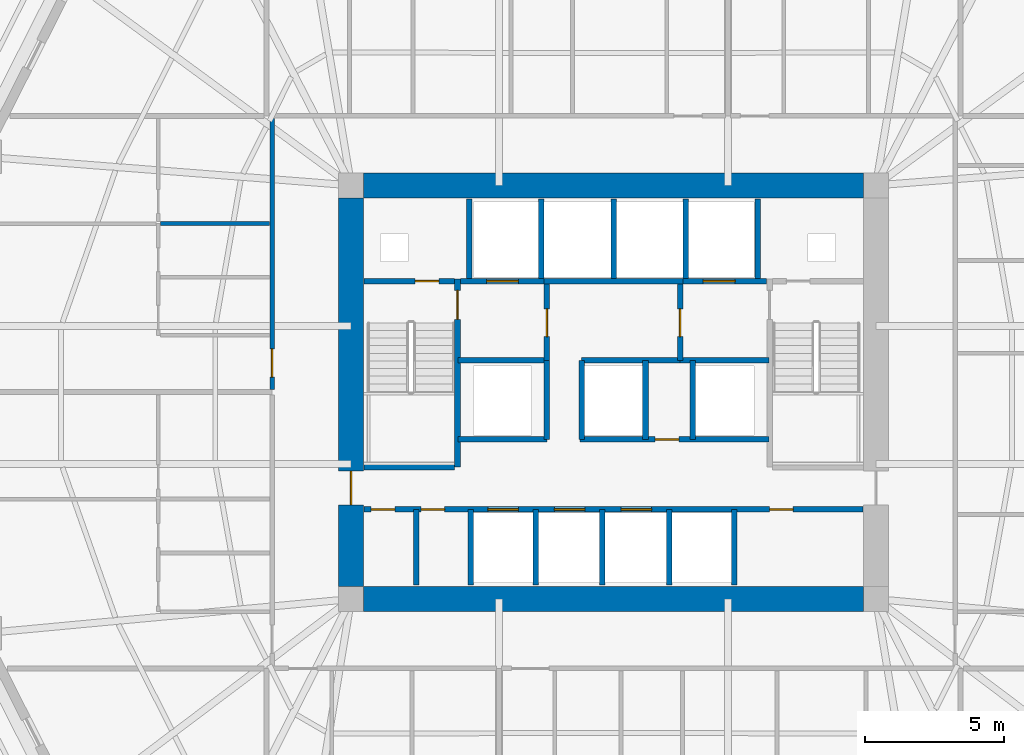
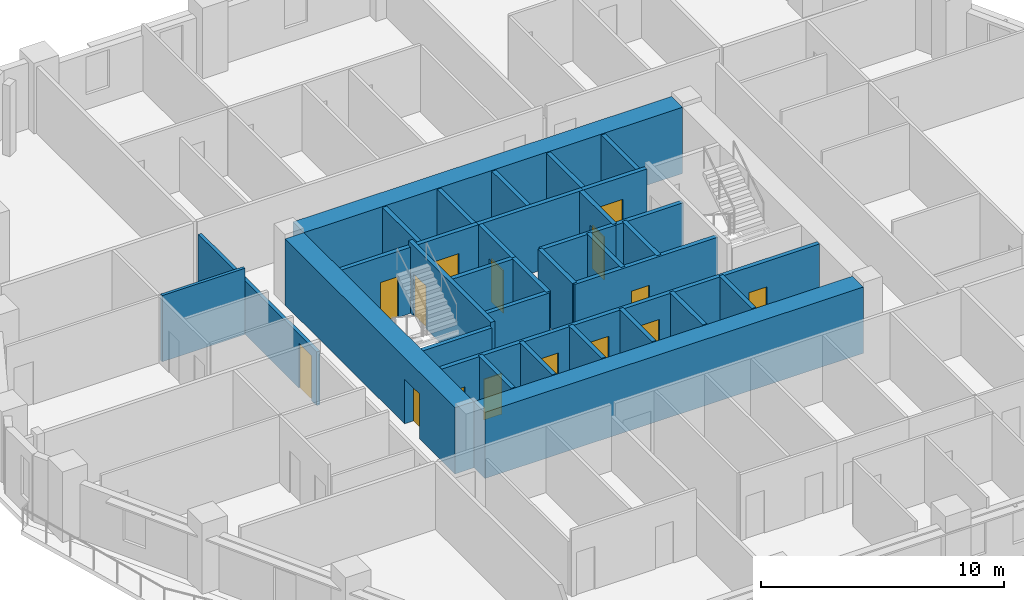
# One storey, part 5 of 14: 34 walls, 15 doors, 15 openings.
"""IFC4 building model written with IfcOpenShell, lengths in metres."""

import ifcopenshell
import ifcopenshell.guid

model = None  # the IFC model being written
_history = None  # IfcOwnerHistory: only IFC2X3 demands one
_inside = {}  # id of a spatial element -> (the spatial element, [elements in it])
_under = {}  # id of a project, library or spatial element -> (it, [spatial elements below it])
_declared = {}  # id of a project -> (the project, [libraries it declares])
_typed = {}  # id of a type object -> (the type object, [elements of that type])
_made_of = {}  # id of a material, layer set ... -> (it, [elements and type objects made of it])


def new_model(schema):
    """Start an empty IFC model of exactly this schema.

    Asked for "IFC4X3", IfcOpenShell would pick the latest addendum, in which some entities
    have other attributes; the version numbers below select the first issue.
    IFC2X3 requires an IfcOwnerHistory on every rooted entity: one is made here for all.
    """
    global model, _history
    if schema == "IFC4X3":
        model = ifcopenshell.file(schema_version=(4, 3, 0, 0))
    else:
        model = ifcopenshell.file(schema=schema)
    _inside.clear()
    _under.clear()
    _declared.clear()
    _typed.clear()
    _made_of.clear()
    _history = None
    if model.schema == "IFC2X3":
        org = make("IfcOrganization", Name="unknown")
        user = make(
            "IfcPersonAndOrganization",
            ThePerson=make("IfcPerson", FamilyName="unknown"),
            TheOrganization=org,
        )
        app = make(
            "IfcApplication",
            ApplicationDeveloper=org,
            Version="unknown",
            ApplicationFullName="unknown",
            ApplicationIdentifier="unknown",
        )
        _history = make(
            "IfcOwnerHistory",
            OwningUser=user,
            OwningApplication=app,
            ChangeAction="ADDED",
            CreationDate=0,
        )
    return model


def make(cls, **values):
    """One entity of the class cls with the attributes given. An attribute that is None is left unset."""
    return model.create_entity(
        cls, **{name: value for name, value in values.items() if value is not None}
    )


def rooted(cls, **values):
    """An entity with a GlobalId (a new one), such as an element, a storey or a relation."""
    return make(cls, GlobalId=ifcopenshell.guid.new(), OwnerHistory=_history, **values)


def si_unit(unit_type, name, prefix=None):
    """IfcSIUnit, for example si_unit("LENGTHUNIT", "METRE", prefix="MILLI")."""
    return make("IfcSIUnit", UnitType=unit_type, Prefix=prefix, Name=name)


def assignment(units):
    """IfcUnitAssignment: the units of a project."""
    return None if units is None else make("IfcUnitAssignment", Units=units)


def point(xyz):
    """IfcCartesianPoint."""
    return None if xyz is None else make("IfcCartesianPoint", Coordinates=xyz)


def direction(xyz):
    """IfcDirection."""
    return None if xyz is None else make("IfcDirection", DirectionRatios=xyz)


def frame(location, z_axis=None, x_axis=None):
    """IfcAxis2Placement3D, a coordinate frame: its origin and axes. An axis left out is left unset."""
    return make(
        "IfcAxis2Placement3D",
        Location=point(location),
        Axis=direction(z_axis),
        RefDirection=direction(x_axis),
    )


def frame_2d(location, x_axis=None):
    """IfcAxis2Placement2D, a coordinate frame in the plane: its origin and x axis."""
    return make(
        "IfcAxis2Placement2D", Location=point(location), RefDirection=direction(x_axis)
    )


def origin():
    """The frame at (0, 0, 0) with its axes left unset."""
    return frame((0.0, 0.0, 0.0))


def place(relative_to, where):
    """IfcLocalPlacement: puts the frame where relative to a parent placement (None: the world)."""
    return make(
        "IfcLocalPlacement", PlacementRelTo=relative_to, RelativePlacement=where
    )


def context(
    kind, dimensions, precision=None, world=None, true_north=None, identifier=None
):
    """IfcGeometricRepresentationContext, for example the 3D "Model" context."""
    return make(
        "IfcGeometricRepresentationContext",
        ContextIdentifier=identifier,
        ContextType=kind,
        CoordinateSpaceDimension=dimensions,
        Precision=precision,
        WorldCoordinateSystem=world,
        TrueNorth=true_north,
    )


def subcontext(parent, identifier, kind, view, scale=None):
    """IfcGeometricRepresentationSubContext, for example "Body" below "Model"."""
    return make(
        "IfcGeometricRepresentationSubContext",
        ContextIdentifier=identifier,
        ContextType=kind,
        ParentContext=parent,
        TargetScale=scale,
        TargetView=view,
    )


def project(units=None, contexts=None):
    """IfcProject with its units and contexts."""
    return rooted(
        "IfcProject",
        Name="project",
        RepresentationContexts=contexts,
        UnitsInContext=assignment(units),
    )


def spatial(cls, under=None, at=None, **own):
    """A site, building, storey or space (cls), placed at a placement, below another one or the project."""
    s = rooted(cls, ObjectPlacement=at, **own)
    if under is not None:
        _under.setdefault(under.id(), (under, []))[1].append(s)
    return s


def profile(cls, at=None, kind="AREA", **sizes):
    """A parametric profile (cls). Its sizes go by their IFC names, for example OverallWidth=200.0."""
    return make(cls, ProfileType=kind, Position=at, **sizes)


def rectangle(**sizes):
    """IfcRectangleProfileDef."""
    return profile("IfcRectangleProfileDef", **sizes)


def extrude(swept, where, along, depth):
    """IfcExtrudedAreaSolid: the profile swept, set in the frame where, extruded along a direction by depth."""
    return make(
        "IfcExtrudedAreaSolid",
        SweptArea=swept,
        Position=where,
        ExtrudedDirection=direction(along),
        Depth=depth,
    )


def shape(context_of_items, identifier, shape_type, items):
    """IfcShapeRepresentation: the items that make up one representation, for example the "Body"."""
    return make(
        "IfcShapeRepresentation",
        ContextOfItems=context_of_items,
        RepresentationIdentifier=identifier,
        RepresentationType=shape_type,
        Items=items,
    )


def material(Name=None, Category=None):
    """IfcMaterial."""
    return make("IfcMaterial", Name=Name, Category=Category)


def layer(
    of_material, thickness, ventilated=None, Name=None, Category=None, Priority=None
):
    """IfcMaterialLayer: one layer of a wall or slab, of a material (None: an air gap)."""
    return make(
        "IfcMaterialLayer",
        Material=of_material,
        LayerThickness=thickness,
        IsVentilated=ventilated,
        Name=Name,
        Category=Category,
        Priority=Priority,
    )


def layer_set(layers, Name=None):
    """IfcMaterialLayerSet."""
    return make("IfcMaterialLayerSet", MaterialLayers=layers, LayerSetName=Name)


def made_of(thing, what):
    """Note that an element or type object is made of a material, layer set ...; save() writes the relation."""
    if what is not None:
        _made_of.setdefault(what.id(), (what, []))[1].append(thing)
    return thing


def type_object(cls, material=None, **own):
    """A type object (cls), such as IfcWallType, which elements share."""
    return made_of(rooted(cls, **own), material)


def element(
    cls,
    number,
    at=None,
    inside=None,
    cuts=None,
    type_object=None,
    material=None,
    context=None,
    identifier="Body",
    shape_type=None,
    held_by="IfcProductDefinitionShape",
    body=None,
    shapes=None,
    **own,
):
    """One element of the class cls, such as IfcWall. Its Tag is "e" and its number.

    at: its placement. inside: the storey or other place that contains it. cuts: it is an
    opening in that element (IfcRelVoidsElement). A single representation is given by context,
    identifier, shape_type and body (its items); several are given by shapes. held_by: the class
    of the entity that holds the representations. save() writes the other relations.
    """
    e = rooted(cls, Tag="e%d" % number, ObjectPlacement=at, **own)
    if body is not None:
        shapes = [shape(context, identifier, shape_type, body)]
    if shapes is not None:
        e.Representation = make(held_by, Representations=shapes)
    if inside is not None:
        _inside.setdefault(inside.id(), (inside, []))[1].append(e)
    if cuts is not None:
        rooted(
            "IfcRelVoidsElement", RelatingBuildingElement=cuts, RelatedOpeningElement=e
        )
    if type_object is not None:
        _typed.setdefault(type_object.id(), (type_object, []))[1].append(e)
    return made_of(e, material)


def fill(opening, filler):
    """IfcRelFillsElement: the door or window that sits in an opening."""
    return rooted(
        "IfcRelFillsElement",
        RelatingOpeningElement=opening,
        RelatedBuildingElement=filler,
    )


def aggregate(whole, parts):
    """IfcRelAggregates: a whole, such as a stair, and the parts it consists of."""
    return rooted("IfcRelAggregates", RelatingObject=whole, RelatedObjects=parts)


def save(model, path):
    """Write the relations noted so far, then the file.

    IfcRelAggregates (storeys below a building ...), IfcRelContainedInSpatialStructure (elements
    in a storey), IfcRelDefinesByType, IfcRelAssociatesMaterial and IfcRelDeclares: one each for
    every whole, place, type object, material and project.
    """
    for whole, parts in _under.values():
        aggregate(whole, parts)
    for where, things in _inside.values():
        rooted(
            "IfcRelContainedInSpatialStructure",
            RelatedElements=things,
            RelatingStructure=where,
        )
    for kind, things in _typed.values():
        rooted("IfcRelDefinesByType", RelatedObjects=things, RelatingType=kind)
    for what, things in _made_of.values():
        rooted("IfcRelAssociatesMaterial", RelatedObjects=things, RelatingMaterial=what)
    for by, libraries in _declared.values():
        rooted("IfcRelDeclares", RelatingContext=by, RelatedDefinitions=libraries)
    model.write(path)


model = new_model("IFC4")

# Units and contexts
model_context = context("Model", 3, precision=1e-05, world=origin(), true_north=direction((0.0, 1.0)))
body_context = subcontext(model_context, "Body", "Model", "MODEL_VIEW")
ifc_project = project(units=[si_unit("LENGTHUNIT", "METRE"), si_unit("AREAUNIT", "SQUARE_METRE"), si_unit("VOLUMEUNIT", "CUBIC_METRE"), si_unit("PLANEANGLEUNIT", "RADIAN"), si_unit("MASSUNIT", "GRAM", prefix="KILO")], contexts=[model_context])

# Site, building, storey
site_placement = place(None, origin())
site = spatial("IfcSite", under=ifc_project, at=site_placement, CompositionType="ELEMENT")
building_placement = place(site_placement, origin())
building = spatial("IfcBuilding", under=site, at=building_placement, Name="Cinnabar Lancet Tower", CompositionType="ELEMENT")
storey_placement = place(building_placement, frame((0.0, 0.0, 35.550048828125)))
storey = spatial("IfcBuildingStorey", under=building, at=storey_placement, Name="L08", CompositionType="ELEMENT", Elevation=35.550048828125)

# Wall, opening, door
ifc_material_1 = material(Name="Acoustic twin-stud gypsum partition", Category="gypsum")
ifc_layer_1 = layer(ifc_material_1, 0.159912109375)
ifc_layer_set_1 = layer_set([ifc_layer_1], Name="Acoustic twin-stud gypsum partition")
wall_type_1 = type_object("IfcWallType", Name="ARC-WL-CORR-160", PredefinedType="PARTITIONING", material=ifc_layer_set_1)
wall_1_placement = place(storey_placement, frame((20.10009765625, 25.9951171875, 0.0), z_axis=(0.0, 0.0, 1.0), x_axis=(0.0, 1.0, 0.0)))
wall_1 = element("IfcWall", 1, at=wall_1_placement, inside=storey, type_object=wall_type_1, Name="UW-L08-W02-COR", PredefinedType="PARTITIONING", context=body_context, shape_type="SweptSolid", body=[
    extrude(rectangle(XDim=9.759765625, YDim=0.159912109375, at=frame_2d((4.8798828125, 0.0))), origin(), (0.0, 0.0, 1.0), 2.699951171875),
])
opening_1_placement = place(wall_1_placement, frame((0.449951171875, 0.0, 0.0)))
opening_1 = element("IfcOpeningElement", 2, at=opening_1_placement, cuts=wall_1, Name="Opening UD-01", PredefinedType="OPENING", context=body_context, shape_type="SweptSolid", body=[
    extrude(rectangle(XDim=1.02001953125, YDim=2.25, at=frame_2d((0.510009765625, 1.125))), frame((0.0, 0.08984375, 0.0), z_axis=(0.0, -1.0, 0.0), x_axis=(1.0, 0.0, 0.0)), (0.0, 0.0, 1.0), 0.179931640625),
])
ifc_material_2 = material(Name="Solid timber fire-rated apartment entrance door", Category="wood")
door_type_1 = type_object("IfcDoorType", Name="ARC-DR-UNIT", OperationType="NOTDEFINED", PredefinedType="DOOR", material=ifc_material_2)
door_1_placement = place(opening_1_placement, origin())
door_1 = element("IfcDoor", 3, at=door_1_placement, inside=storey, type_object=door_type_1, Name="DR-L08-W02-ENT", OperationType="SINGLE_SWING_LEFT", OverallHeight=2.25, OverallWidth=1.02001953125, PredefinedType="DOOR", context=body_context, shape_type="SweptSolid", body=[
    extrude(rectangle(XDim=1.02001953125, YDim=2.25, at=frame_2d((0.510009765625, 1.125))), frame((0.0, 0.02490234375, 0.0), z_axis=(0.0, -1.0, 0.0), x_axis=(1.0, 0.0, 0.0)), (0.0, 0.0, 1.0), 0.050048828125),
])
fill(opening_1, door_1)

# Wall
ifc_material_3 = material(Name="Autoclaved aerated concrete blockwork", Category="masonry")
ifc_layer_2 = layer(ifc_material_3, 0.199951171875)
ifc_layer_set_2 = layer_set([ifc_layer_2], Name="Autoclaved aerated concrete blockwork")
wall_type_2 = type_object("IfcWallType", Name="ARC-WL-SHAFT-200", PredefinedType="PLUMBINGWALL", material=ifc_layer_set_2)
wall_2_placement = place(storey_placement, frame((23.405029296875, 23.199951171875, 0.0), z_axis=(0.0, 0.0, 1.0), x_axis=(1.0, 0.0, 0.0)))
element("IfcWall", 4, at=wall_2_placement, inside=storey, type_object=wall_type_2, Name="CW-ST1S-L08", PredefinedType="PLUMBINGWALL", context=body_context, shape_type="SweptSolid", body=[
    extrude(rectangle(XDim=3.27001953125, YDim=0.199951171875, at=frame_2d((1.635009765625, 0.0))), origin(), (0.0, 0.0, 1.0), 3.329833984375),
])

# Wall, opening, door
wall_3_placement = place(storey_placement, frame((23.405029296875, 29.89990234375, 0.0), z_axis=(0.0, 0.0, 1.0), x_axis=(1.0, 0.0, 0.0)))
wall_3 = element("IfcWall", 5, at=wall_3_placement, inside=storey, type_object=wall_type_2, Name="CW-NSH-W-L08", PredefinedType="PLUMBINGWALL", context=body_context, shape_type="SweptSolid", body=[
    extrude(rectangle(XDim=3.27001953125, YDim=0.199951171875, at=frame_2d((1.635009765625, 0.0))), origin(), (0.0, 0.0, 1.0), 3.329833984375),
])
opening_2_placement = place(wall_3_placement, frame((1.85009765625, 0.0, 0.0)))
opening_2 = element("IfcOpeningElement", 6, at=opening_2_placement, cuts=wall_3, Name="Opening PD-02", PredefinedType="OPENING", context=body_context, shape_type="SweptSolid", body=[
    extrude(rectangle(XDim=0.85009765625, YDim=2.050048828125, at=frame_2d((0.425048828125, 1.02490234375))), frame((0.0, 0.10986328125, 0.0), z_axis=(0.0, -1.0, 0.0), x_axis=(1.0, 0.0, 0.0)), (0.0, 0.0, 1.0), 0.219970703125),
])
ifc_material_4 = material(Name="Fire-rated steel riser access door", Category="steel")
door_type_2 = type_object("IfcDoorType", Name="ARC-DR-RISER", OperationType="NOTDEFINED", PredefinedType="DOOR", material=ifc_material_4)
door_2_placement = place(opening_2_placement, origin())
door_2 = element("IfcDoor", 7, at=door_2_placement, inside=storey, type_object=door_type_2, Name="L08 West Riser Access Door", OperationType="SINGLE_SWING_LEFT", OverallHeight=2.050048828125, OverallWidth=0.85009765625, PredefinedType="DOOR", context=body_context, shape_type="SweptSolid", body=[
    extrude(rectangle(XDim=0.85009765625, YDim=2.050048828125, at=frame_2d((0.425048828125, 1.02490234375))), frame((0.0, 0.02490234375, 0.0), z_axis=(0.0, -1.0, 0.0), x_axis=(1.0, 0.0, 0.0)), (0.0, 0.0, 1.0), 0.050048828125),
])
fill(opening_2, door_2)

wall_4_placement = place(storey_placement, frame((26.885009765625, 29.89990234375, 0.0), z_axis=(0.0, 0.0, 1.0), x_axis=(1.0, 0.0, 0.0)))
wall_4 = element("IfcWall", 8, at=wall_4_placement, inside=storey, type_object=wall_type_2, Name="CW-FL1-L08", PredefinedType="PLUMBINGWALL", context=body_context, shape_type="SweptSolid", body=[
    extrude(rectangle(XDim=3.014892578125, YDim=0.199951171875, at=frame_2d((1.50732421875, 0.0))), origin(), (0.0, 0.0, 1.0), 3.329833984375),
])
opening_3_placement = place(wall_4_placement, frame((0.93994140625, 0.0, 0.0)))
opening_3 = element("IfcOpeningElement", 9, at=opening_3_placement, cuts=wall_4, Name="Opening LD-02", PredefinedType="OPENING", context=body_context, shape_type="SweptSolid", body=[
    extrude(rectangle(XDim=1.14990234375, YDim=2.199951171875, at=frame_2d((0.574951171875, 1.10009765625))), frame((0.0, 0.10986328125, 0.0), z_axis=(0.0, -1.0, 0.0), x_axis=(1.0, 0.0, 0.0)), (0.0, 0.0, 1.0), 0.219970703125),
])
ifc_material_5 = material(Name="Fire-rated stainless steel firefighting lift landing door", Category="steel")
door_type_3 = type_object("IfcDoorType", Name="ARC-DR-LD-FIRE", OperationType="NOTDEFINED", PredefinedType="DOOR", material=ifc_material_5)
door_3_placement = place(opening_3_placement, origin())
door_3 = element("IfcDoor", 10, at=door_3_placement, inside=storey, type_object=door_type_3, Name="L08 Firefighting Lift FL-1 Landing Door", OperationType="DOUBLE_DOOR_SLIDING", OverallHeight=2.199951171875, OverallWidth=1.14990234375, PredefinedType="DOOR", context=body_context, shape_type="SweptSolid", body=[
    extrude(rectangle(XDim=1.14990234375, YDim=2.199951171875, at=frame_2d((0.574951171875, 1.10009765625))), frame((0.0, 0.02490234375, 0.0), z_axis=(0.0, -1.0, 0.0), x_axis=(1.0, 0.0, 0.0)), (0.0, 0.0, 1.0), 0.050048828125),
])
fill(opening_3, door_3)

# Wall
wall_5_placement = place(storey_placement, frame((29.89990234375, 29.89990234375, 0.0), z_axis=(0.0, 0.0, 1.0), x_axis=(1.0, 0.0, 0.0)))
element("IfcWall", 11, at=wall_5_placement, inside=storey, type_object=wall_type_2, Name="CW-PL78-L08", PredefinedType="PLUMBINGWALL", context=body_context, shape_type="SweptSolid", body=[
    extrude(rectangle(XDim=5.0, YDim=0.199951171875, at=frame_2d((2.5, 0.0))), origin(), (0.0, 0.0, 1.0), 3.329833984375),
])

# Wall, opening, door
wall_6_placement = place(storey_placement, frame((34.89990234375, 29.89990234375, 0.0), z_axis=(0.0, 0.0, 1.0), x_axis=(1.0, 0.0, 0.0)))
wall_6 = element("IfcWall", 12, at=wall_6_placement, inside=storey, type_object=wall_type_2, Name="CW-FL2-L08", PredefinedType="PLUMBINGWALL", context=body_context, shape_type="SweptSolid", body=[
    extrude(rectangle(XDim=3.01513671875, YDim=0.199951171875, at=frame_2d((1.507568359375, 0.0))), origin(), (0.0, 0.0, 1.0), 3.329833984375),
])
opening_4_placement = place(wall_6_placement, frame((0.72509765625, 0.0, 0.0)))
opening_4 = element("IfcOpeningElement", 13, at=opening_4_placement, cuts=wall_6, Name="Opening LD-02", PredefinedType="OPENING", context=body_context, shape_type="SweptSolid", body=[
    extrude(rectangle(XDim=1.14990234375, YDim=2.199951171875, at=frame_2d((0.574951171875, 1.10009765625))), frame((0.0, 0.10986328125, 0.0), z_axis=(0.0, -1.0, 0.0), x_axis=(1.0, 0.0, 0.0)), (0.0, 0.0, 1.0), 0.219970703125),
])
door_4_placement = place(opening_4_placement, origin())
door_4 = element("IfcDoor", 14, at=door_4_placement, inside=storey, type_object=door_type_3, Name="L08 Firefighting Lift FL-2 Landing Door", OperationType="DOUBLE_DOOR_SLIDING", OverallHeight=2.199951171875, OverallWidth=1.14990234375, PredefinedType="DOOR", context=body_context, shape_type="SweptSolid", body=[
    extrude(rectangle(XDim=1.14990234375, YDim=2.199951171875, at=frame_2d((0.574951171875, 1.10009765625))), frame((0.0, 0.02490234375, 0.0), z_axis=(0.0, -1.0, 0.0), x_axis=(1.0, 0.0, 0.0)), (0.0, 0.0, 1.0), 0.050048828125),
])
fill(opening_4, door_4)

# Walls
for number, where, z_axis, x_axis, name in (
    (15, (27.199951171875, 30.0, 0.0), (0.0, 0.0, 1.0), (0.0, 1.0, 0.0), "CW-NSH-D1-L08"),
    (16, (29.800048828125, 30.0, 0.0), (0.0, 0.0, 1.0), (0.0, 1.0, 0.0), "CW-NSH-D2-L08"),
    (17, (32.39990234375, 30.0, 0.0), (0.0, 0.0, 1.0), (0.0, 1.0, 0.0), "CW-NSH-D3-L08"),
    (18, (35.0, 30.0, 0.0), (0.0, 0.0, 1.0), (0.0, 1.0, 0.0), "CW-NSH-D4-L08"),
    (19, (37.60009765625, 30.0, 0.0), (0.0, 0.0, 1.0), (0.0, 1.0, 0.0), "CW-NSH-D5-L08"),
):
    element("IfcWall", number, at=place(storey_placement, frame(where, z_axis=z_axis, x_axis=x_axis)), inside=storey, type_object=wall_type_2, Name=name, PredefinedType="PLUMBINGWALL", context=body_context, shape_type="SweptSolid", body=[
        extrude(rectangle(XDim=2.85009765625, YDim=0.199951171875, at=frame_2d((1.425048828125, 0.0))), origin(), (0.0, 0.0, 1.0), 3.329833984375),
    ])

# Wall, opening, door
wall_7_placement = place(storey_placement, frame((30.0, 27.050048828125, 0.0), z_axis=(0.0, 0.0, 1.0), x_axis=(0.0, 1.0, 0.0)))
wall_7 = element("IfcWall", 20, at=wall_7_placement, inside=storey, type_object=wall_type_2, Name="CW-FF1E-L08", PredefinedType="PLUMBINGWALL", context=body_context, shape_type="SweptSolid", body=[
    extrude(rectangle(XDim=2.75, YDim=0.199951171875, at=frame_2d((1.375, 0.0))), origin(), (0.0, 0.0, 1.0), 3.329833984375),
])
opening_5_placement = place(wall_7_placement, frame((0.85009765625, 0.0, 0.0)))
opening_5 = element("IfcOpeningElement", 21, at=opening_5_placement, cuts=wall_7, Name="Opening FD-01", PredefinedType="OPENING", context=body_context, shape_type="SweptSolid", body=[
    extrude(rectangle(XDim=1.0, YDim=2.14990234375, at=frame_2d((0.5, 1.074951171875))), frame((0.0, 0.10986328125, 0.0), z_axis=(0.0, -1.0, 0.0), x_axis=(1.0, 0.0, 0.0)), (0.0, 0.0, 1.0), 0.219970703125),
])
ifc_material_6 = material(Name="Fire-rated timber-core lobby door", Category="wood")
door_type_4 = type_object("IfcDoorType", Name="ARC-DR-FFAL", OperationType="NOTDEFINED", PredefinedType="DOOR", material=ifc_material_6)
door_5_placement = place(opening_5_placement, origin())
door_5 = element("IfcDoor", 22, at=door_5_placement, inside=storey, type_object=door_type_4, Name="L08 FFAL-1 Lobby Fire Door", OperationType="SINGLE_SWING_RIGHT", OverallHeight=2.14990234375, OverallWidth=1.0, PredefinedType="DOOR", context=body_context, shape_type="SweptSolid", body=[
    extrude(rectangle(XDim=1.0, YDim=2.14990234375, at=frame_2d((0.5, 1.074951171875))), frame((0.0, 0.02490234375, 0.0), z_axis=(0.0, -1.0, 0.0), x_axis=(1.0, 0.0, 0.0)), (0.0, 0.0, 1.0), 0.050048828125),
])
fill(opening_5, door_5)

# Wall
wall_8_placement = place(storey_placement, frame((26.800048828125, 27.050048828125, 0.0), z_axis=(0.0, 0.0, 1.0), x_axis=(1.0, 0.0, 0.0)))
element("IfcWall", 23, at=wall_8_placement, inside=storey, type_object=wall_type_2, Name="CW-FF1S-L08", PredefinedType="PLUMBINGWALL", context=body_context, shape_type="SweptSolid", body=[
    extrude(rectangle(XDim=3.199951171875, YDim=0.199951171875, at=frame_2d((1.60009765625, 0.0))), origin(), (0.0, 0.0, 1.0), 3.329833984375),
])

# Wall, opening, door
wall_9_placement = place(storey_placement, frame((34.800048828125, 27.050048828125, 0.0), z_axis=(0.0, 0.0, 1.0), x_axis=(0.0, 1.0, 0.0)))
wall_9 = element("IfcWall", 24, at=wall_9_placement, inside=storey, type_object=wall_type_2, Name="CW-FF2W-L08", PredefinedType="PLUMBINGWALL", context=body_context, shape_type="SweptSolid", body=[
    extrude(rectangle(XDim=2.75, YDim=0.199951171875, at=frame_2d((1.375, 0.0))), origin(), (0.0, 0.0, 1.0), 3.329833984375),
])
opening_6_placement = place(wall_9_placement, frame((0.85009765625, 0.0, 0.0)))
opening_6 = element("IfcOpeningElement", 25, at=opening_6_placement, cuts=wall_9, Name="Opening FD-01", PredefinedType="OPENING", context=body_context, shape_type="SweptSolid", body=[
    extrude(rectangle(XDim=1.0, YDim=2.14990234375, at=frame_2d((0.5, 1.074951171875))), frame((0.0, 0.10986328125, 0.0), z_axis=(0.0, -1.0, 0.0), x_axis=(1.0, 0.0, 0.0)), (0.0, 0.0, 1.0), 0.219970703125),
])
door_6_placement = place(opening_6_placement, origin())
door_6 = element("IfcDoor", 26, at=door_6_placement, inside=storey, type_object=door_type_4, Name="L08 FFAL-2 Lobby Fire Door", OperationType="SINGLE_SWING_LEFT", OverallHeight=2.14990234375, OverallWidth=1.0, PredefinedType="DOOR", context=body_context, shape_type="SweptSolid", body=[
    extrude(rectangle(XDim=1.0, YDim=2.14990234375, at=frame_2d((0.5, 1.074951171875))), frame((0.0, 0.02490234375, 0.0), z_axis=(0.0, -1.0, 0.0), x_axis=(1.0, 0.0, 0.0)), (0.0, 0.0, 1.0), 0.050048828125),
])
fill(opening_6, door_6)

# Walls
for number, where, z_axis, x_axis, name in (
    (27, (34.800048828125, 27.050048828125, 0.0), (0.0, 0.0, 1.0), (1.0, 0.0, 0.0), "CW-FF2S-L08"),
    (28, (26.800048828125, 24.199951171875, 0.0), (0.0, 0.0, 1.0), (1.0, 0.0, 0.0), "CW-PL5S-L08"),
):
    element("IfcWall", number, at=place(storey_placement, frame(where, z_axis=z_axis, x_axis=x_axis)), inside=storey, type_object=wall_type_2, Name=name, PredefinedType="PLUMBINGWALL", context=body_context, shape_type="SweptSolid", body=[
        extrude(rectangle(XDim=3.199951171875, YDim=0.199951171875, at=frame_2d((1.60009765625, 0.0))), origin(), (0.0, 0.0, 1.0), 3.329833984375),
    ])
wall_10_placement = place(storey_placement, frame((30.0, 24.199951171875, 0.0), z_axis=(0.0, 0.0, 1.0), x_axis=(0.0, 1.0, 0.0)))
element("IfcWall", 29, at=wall_10_placement, inside=storey, type_object=wall_type_2, Name="CW-PL5E-L08", PredefinedType="PLUMBINGWALL", context=body_context, shape_type="SweptSolid", body=[
    extrude(rectangle(XDim=2.85009765625, YDim=0.199951171875, at=frame_2d((1.425048828125, 0.0))), origin(), (0.0, 0.0, 1.0), 3.329833984375),
])

# Wall, opening, door
wall_11_placement = place(storey_placement, frame((31.199951171875, 24.199951171875, 0.0), z_axis=(0.0, 0.0, 1.0), x_axis=(1.0, 0.0, 0.0)))
wall_11 = element("IfcWall", 30, at=wall_11_placement, inside=storey, type_object=wall_type_2, Name="CW-PL96S-L08", PredefinedType="PLUMBINGWALL", context=body_context, shape_type="SweptSolid", body=[
    extrude(rectangle(XDim=6.800048828125, YDim=0.199951171875, at=frame_2d((3.39990234375, 0.0))), origin(), (0.0, 0.0, 1.0), 3.329833984375),
])
opening_7_placement = place(wall_11_placement, frame((2.699951171875, 0.0, 0.0)))
opening_7 = element("IfcOpeningElement", 31, at=opening_7_placement, cuts=wall_11, Name="Opening PD-02", PredefinedType="OPENING", context=body_context, shape_type="SweptSolid", body=[
    extrude(rectangle(XDim=0.85009765625, YDim=2.050048828125, at=frame_2d((0.425048828125, 1.02490234375))), frame((0.0, 0.10986328125, 0.0), z_axis=(0.0, -1.0, 0.0), x_axis=(1.0, 0.0, 0.0)), (0.0, 0.0, 1.0), 0.219970703125),
])
door_7_placement = place(opening_7_placement, origin())
door_7 = element("IfcDoor", 32, at=door_7_placement, inside=storey, type_object=door_type_2, Name="L08 BMS Closet Door", OperationType="SINGLE_SWING_LEFT", OverallHeight=2.050048828125, OverallWidth=0.85009765625, PredefinedType="DOOR", context=body_context, shape_type="SweptSolid", body=[
    extrude(rectangle(XDim=0.85009765625, YDim=2.050048828125, at=frame_2d((0.425048828125, 1.02490234375))), frame((0.0, 0.02490234375, 0.0), z_axis=(0.0, -1.0, 0.0), x_axis=(1.0, 0.0, 0.0)), (0.0, 0.0, 1.0), 0.050048828125),
])
fill(opening_7, door_7)

# Walls
for number, where, z_axis, x_axis, name in (
    (33, (31.25, 24.199951171875, 0.0), (0.0, 0.0, 1.0), (0.0, 1.0, 0.0), "CW-PL9W-L08"),
    (34, (33.550048828125, 24.199951171875, 0.0), (0.0, 0.0, 1.0), (0.0, 1.0, 0.0), "CW-PL9E-L08"),
    (35, (35.25, 24.199951171875, 0.0), (0.0, 0.0, 1.0), (0.0, 1.0, 0.0), "CW-PL6W-L08"),
):
    element("IfcWall", number, at=place(storey_placement, frame(where, z_axis=z_axis, x_axis=x_axis)), inside=storey, type_object=wall_type_2, Name=name, PredefinedType="PLUMBINGWALL", context=body_context, shape_type="SweptSolid", body=[
        extrude(rectangle(XDim=2.85009765625, YDim=0.199951171875, at=frame_2d((1.425048828125, 0.0))), origin(), (0.0, 0.0, 1.0), 3.329833984375),
    ])
wall_12_placement = place(storey_placement, frame((31.25, 27.050048828125, 0.0), z_axis=(0.0, 0.0, 1.0), x_axis=(1.0, 0.0, 0.0)))
element("IfcWall", 36, at=wall_12_placement, inside=storey, type_object=wall_type_2, Name="CW-PL96N-L08", PredefinedType="PLUMBINGWALL", context=body_context, shape_type="SweptSolid", body=[
    extrude(rectangle(XDim=3.550048828125, YDim=0.199951171875, at=frame_2d((1.77490234375, 0.0))), origin(), (0.0, 0.0, 1.0), 3.329833984375),
])

# Wall, openings, doors
wall_13_placement = place(storey_placement, frame((23.419921875, 21.679931640625, 0.0), z_axis=(0.0, 0.0, 1.0), x_axis=(1.0, 0.0, 0.0)))
wall_13 = element("IfcWall", 37, at=wall_13_placement, inside=storey, type_object=wall_type_2, Name="CW-SBANDN-L08", PredefinedType="PLUMBINGWALL", context=body_context, shape_type="SweptSolid", body=[
    extrude(rectangle(XDim=17.9599609375, YDim=0.199951171875, at=frame_2d((8.97998046875, 0.0))), origin(), (0.0, 0.0, 1.0), 3.329833984375),
])
opening_8_placement = place(wall_13_placement, frame((4.449951171875, 0.0, 0.0)))
opening_8 = element("IfcOpeningElement", 38, at=opening_8_placement, cuts=wall_13, Name="Opening LD-01", PredefinedType="OPENING", context=body_context, shape_type="SweptSolid", body=[
    extrude(rectangle(XDim=1.10009765625, YDim=2.199951171875, at=frame_2d((0.550048828125, 1.10009765625))), frame((0.0, 0.10986328125, 0.0), z_axis=(0.0, -1.0, 0.0), x_axis=(1.0, 0.0, 0.0)), (0.0, 0.0, 1.0), 0.219970703125),
])
opening_9_placement = place(wall_13_placement, frame((6.85009765625, 0.0, 0.0)))
opening_9 = element("IfcOpeningElement", 39, at=opening_9_placement, cuts=wall_13, Name="Opening LD-01", PredefinedType="OPENING", context=body_context, shape_type="SweptSolid", body=[
    extrude(rectangle(XDim=1.10009765625, YDim=2.199951171875, at=frame_2d((0.550048828125, 1.10009765625))), frame((0.0, 0.10986328125, 0.0), z_axis=(0.0, -1.0, 0.0), x_axis=(1.0, 0.0, 0.0)), (0.0, 0.0, 1.0), 0.219970703125),
])
opening_10_placement = place(wall_13_placement, frame((9.25, 0.0, 0.0)))
opening_10 = element("IfcOpeningElement", 40, at=opening_10_placement, cuts=wall_13, Name="Opening LD-01", PredefinedType="OPENING", context=body_context, shape_type="SweptSolid", body=[
    extrude(rectangle(XDim=1.10009765625, YDim=2.199951171875, at=frame_2d((0.550048828125, 1.10009765625))), frame((0.0, 0.10986328125, 0.0), z_axis=(0.0, -1.0, 0.0), x_axis=(1.0, 0.0, 0.0)), (0.0, 0.0, 1.0), 0.219970703125),
])
opening_11_placement = place(wall_13_placement, frame((0.25, 0.0, 0.0)))
opening_11 = element("IfcOpeningElement", 41, at=opening_11_placement, cuts=wall_13, Name="Opening PD-02", PredefinedType="OPENING", context=body_context, shape_type="SweptSolid", body=[
    extrude(rectangle(XDim=0.85009765625, YDim=2.050048828125, at=frame_2d((0.425048828125, 1.02490234375))), frame((0.0, 0.10986328125, 0.0), z_axis=(0.0, -1.0, 0.0), x_axis=(1.0, 0.0, 0.0)), (0.0, 0.0, 1.0), 0.219970703125),
])
opening_12_placement = place(wall_13_placement, frame((2.050048828125, 0.0, 0.0)))
opening_12 = element("IfcOpeningElement", 42, at=opening_12_placement, cuts=wall_13, Name="Opening PD-02", PredefinedType="OPENING", context=body_context, shape_type="SweptSolid", body=[
    extrude(rectangle(XDim=0.85009765625, YDim=2.050048828125, at=frame_2d((0.425048828125, 1.02490234375))), frame((0.0, 0.10986328125, 0.0), z_axis=(0.0, -1.0, 0.0), x_axis=(1.0, 0.0, 0.0)), (0.0, 0.0, 1.0), 0.219970703125),
])
opening_13_placement = place(wall_13_placement, frame((14.60009765625, 0.0, 0.0)))
opening_13 = element("IfcOpeningElement", 43, at=opening_13_placement, cuts=wall_13, Name="Opening PD-02", PredefinedType="OPENING", context=body_context, shape_type="SweptSolid", body=[
    extrude(rectangle(XDim=0.85009765625, YDim=2.050048828125, at=frame_2d((0.425048828125, 1.02490234375))), frame((0.0, 0.10986328125, 0.0), z_axis=(0.0, -1.0, 0.0), x_axis=(1.0, 0.0, 0.0)), (0.0, 0.0, 1.0), 0.219970703125),
])
ifc_material_7 = material(Name="Brushed stainless steel sliding lift door", Category="steel")
door_type_5 = type_object("IfcDoorType", Name="ARC-DR-LD-PASS", OperationType="NOTDEFINED", PredefinedType="DOOR", material=ifc_material_7)
door_8_placement = place(opening_8_placement, origin())
door_8 = element("IfcDoor", 44, at=door_8_placement, inside=storey, type_object=door_type_5, Name="L08 Lift PL-1 Landing Door", OperationType="DOUBLE_DOOR_SLIDING", OverallHeight=2.199951171875, OverallWidth=1.10009765625, PredefinedType="DOOR", context=body_context, shape_type="SweptSolid", body=[
    extrude(rectangle(XDim=1.10009765625, YDim=2.199951171875, at=frame_2d((0.550048828125, 1.10009765625))), frame((0.0, 0.02490234375, 0.0), z_axis=(0.0, -1.0, 0.0), x_axis=(1.0, 0.0, 0.0)), (0.0, 0.0, 1.0), 0.050048828125),
])
fill(opening_8, door_8)
door_9_placement = place(opening_9_placement, origin())
door_9 = element("IfcDoor", 45, at=door_9_placement, inside=storey, type_object=door_type_5, Name="L08 Lift PL-2 Landing Door", OperationType="DOUBLE_DOOR_SLIDING", OverallHeight=2.199951171875, OverallWidth=1.10009765625, PredefinedType="DOOR", context=body_context, shape_type="SweptSolid", body=[
    extrude(rectangle(XDim=1.10009765625, YDim=2.199951171875, at=frame_2d((0.550048828125, 1.10009765625))), frame((0.0, 0.02490234375, 0.0), z_axis=(0.0, -1.0, 0.0), x_axis=(1.0, 0.0, 0.0)), (0.0, 0.0, 1.0), 0.050048828125),
])
fill(opening_9, door_9)
door_10_placement = place(opening_10_placement, origin())
door_10 = element("IfcDoor", 46, at=door_10_placement, inside=storey, type_object=door_type_5, Name="L08 Lift PL-3 Landing Door", OperationType="DOUBLE_DOOR_SLIDING", OverallHeight=2.199951171875, OverallWidth=1.10009765625, PredefinedType="DOOR", context=body_context, shape_type="SweptSolid", body=[
    extrude(rectangle(XDim=1.10009765625, YDim=2.199951171875, at=frame_2d((0.550048828125, 1.10009765625))), frame((0.0, 0.02490234375, 0.0), z_axis=(0.0, -1.0, 0.0), x_axis=(1.0, 0.0, 0.0)), (0.0, 0.0, 1.0), 0.050048828125),
])
fill(opening_10, door_10)
door_11_placement = place(opening_11_placement, origin())
door_11 = element("IfcDoor", 47, at=door_11_placement, inside=storey, type_object=door_type_2, Name="DR-L08-SW1", OperationType="SINGLE_SWING_LEFT", OverallHeight=2.050048828125, OverallWidth=0.85009765625, PredefinedType="DOOR", context=body_context, shape_type="SweptSolid", body=[
    extrude(rectangle(XDim=0.85009765625, YDim=2.050048828125, at=frame_2d((0.425048828125, 1.02490234375))), frame((0.0, 0.02490234375, 0.0), z_axis=(0.0, -1.0, 0.0), x_axis=(1.0, 0.0, 0.0)), (0.0, 0.0, 1.0), 0.050048828125),
])
fill(opening_11, door_11)
door_12_placement = place(opening_12_placement, origin())
door_12 = element("IfcDoor", 48, at=door_12_placement, inside=storey, type_object=door_type_2, Name="DR-L08-SW2", OperationType="SINGLE_SWING_RIGHT", OverallHeight=2.050048828125, OverallWidth=0.85009765625, PredefinedType="DOOR", context=body_context, shape_type="SweptSolid", body=[
    extrude(rectangle(XDim=0.85009765625, YDim=2.050048828125, at=frame_2d((0.425048828125, 1.02490234375))), frame((0.0, 0.02490234375, 0.0), z_axis=(0.0, -1.0, 0.0), x_axis=(1.0, 0.0, 0.0)), (0.0, 0.0, 1.0), 0.050048828125),
])
fill(opening_12, door_12)
door_13_placement = place(opening_13_placement, origin())
door_13 = element("IfcDoor", 49, at=door_13_placement, inside=storey, type_object=door_type_2, Name="DR-L08-SE1", OperationType="SINGLE_SWING_LEFT", OverallHeight=2.050048828125, OverallWidth=0.85009765625, PredefinedType="DOOR", context=body_context, shape_type="SweptSolid", body=[
    extrude(rectangle(XDim=0.85009765625, YDim=2.050048828125, at=frame_2d((0.425048828125, 1.02490234375))), frame((0.0, 0.02490234375, 0.0), z_axis=(0.0, -1.0, 0.0), x_axis=(1.0, 0.0, 0.0)), (0.0, 0.0, 1.0), 0.050048828125),
])
fill(opening_13, door_13)

# Walls
for number, where, z_axis, x_axis, name in (
    (50, (27.25, 18.949951171875, 0.0), (0.0, 0.0, 1.0), (0.0, 1.0, 0.0), "CW-SB-2725-L08"),
    (51, (29.60009765625, 18.949951171875, 0.0), (0.0, 0.0, 1.0), (0.0, 1.0, 0.0), "CW-SB-2960-L08"),
    (52, (32.0, 18.949951171875, 0.0), (0.0, 0.0, 1.0), (0.0, 1.0, 0.0), "CW-SB-3200-L08"),
    (53, (34.39990234375, 18.949951171875, 0.0), (0.0, 0.0, 1.0), (0.0, 1.0, 0.0), "CW-SB-3440-L08"),
    (54, (36.75, 18.949951171875, 0.0), (0.0, 0.0, 1.0), (0.0, 1.0, 0.0), "CW-SB-3675-L08"),
    (55, (25.300048828125, 18.949951171875, 0.0), (0.0, 0.0, 1.0), (0.0, 1.0, 0.0), "CW-SB-SW-L08"),
):
    element("IfcWall", number, at=place(storey_placement, frame(where, z_axis=z_axis, x_axis=x_axis)), inside=storey, type_object=wall_type_2, Name=name, PredefinedType="PLUMBINGWALL", context=body_context, shape_type="SweptSolid", body=[
        extrude(rectangle(XDim=2.72998046875, YDim=0.199951171875, at=frame_2d((1.364990234375, 0.0))), origin(), (0.0, 0.0, 1.0), 3.329833984375),
    ])
ifc_material_8 = material(Name="Moisture-resistant cement-board plumbing wall", Category="masonry")
ifc_layer_3 = layer(ifc_material_8, 0.139892578125)
ifc_layer_set_3 = layer_set([ifc_layer_3], Name="Moisture-resistant cement-board plumbing wall")
wall_type_3 = type_object("IfcWallType", Name="ARC-WL-WET-140", PredefinedType="PLUMBINGWALL", material=ifc_layer_set_3)
wall_14_placement = place(storey_placement, frame((16.0849609375, 31.969970703125, 0.0), z_axis=(0.0, 0.0, 1.0), x_axis=(1.0, 0.0, 0.0)))
element("IfcWall", 56, at=wall_14_placement, inside=storey, type_object=wall_type_3, Name="UW-L08-W02-ENSN", PredefinedType="PLUMBINGWALL", context=body_context, shape_type="SweptSolid", body=[
    extrude(rectangle(XDim=3.929931640625, YDim=0.139892578125, at=frame_2d((1.96484375, 0.0))), origin(), (0.0, 0.0, 1.0), 3.329833984375),
])
ifc_material_9 = material(Name="Concrete C80/95", Category="concrete")
ifc_layer_4 = layer(ifc_material_9, 0.89990234375)
ifc_layer_set_4 = layer_set([ifc_layer_4], Name="Concrete C80/95")
wall_type_4 = type_object("IfcWallType", Name="STR-WL-CORE-900", PredefinedType="SHEAR", material=ifc_layer_set_4)
for number, where, z_axis, x_axis, name in (
    (57, (23.39990234375, 18.449951171875, 0.0), (0.0, 0.0, 1.0), (1.0, 0.0, 0.0), "L08 Core Shear Wall S"),
    (58, (23.39990234375, 33.35009765625, 0.0), (0.0, 0.0, 1.0), (1.0, 0.0, 0.0), "L08 Core Shear Wall N"),
):
    element("IfcWall", number, at=place(storey_placement, frame(where, z_axis=z_axis, x_axis=x_axis)), inside=storey, type_object=wall_type_4, Name=name, PredefinedType="SHEAR", context=body_context, shape_type="SweptSolid", body=[
        extrude(rectangle(XDim=18.0, YDim=0.89990234375, at=frame_2d((9.0, 0.0))), origin(), (0.0, 0.0, 1.0), 3.329833984375),
    ])

# Wall, opening, door
wall_15_placement = place(storey_placement, frame((22.949951171875, 18.89990234375, 0.0), z_axis=(0.0, 0.0, 1.0), x_axis=(0.0, 1.0, 0.0)))
wall_15 = element("IfcWall", 59, at=wall_15_placement, inside=storey, type_object=wall_type_4, Name="L08 Core Shear Wall W", PredefinedType="SHEAR", context=body_context, shape_type="SweptSolid", body=[
    extrude(rectangle(XDim=14.0, YDim=0.89990234375, at=frame_2d((7.0, 0.0))), origin(), (0.0, 0.0, 1.0), 3.329833984375),
])
opening_14_placement = place(wall_15_placement, frame((2.93994140625, 0.0, 0.0)))
opening_14 = element("IfcOpeningElement", 60, at=opening_14_placement, cuts=wall_15, Name="Opening FD-02", PredefinedType="OPENING", context=body_context, shape_type="SweptSolid", body=[
    extrude(rectangle(XDim=1.219970703125, YDim=2.25, at=frame_2d((0.60986328125, 1.125))), frame((0.0, 0.4599609375, 0.0), z_axis=(0.0, -1.0, 0.0), x_axis=(1.0, 0.0, 0.0)), (0.0, 0.0, 1.0), 0.919921875),
])
ifc_material_10 = material(Name="Fire-rated double-vision core portal door", Category="wood")
door_type_6 = type_object("IfcDoorType", Name="ARC-DR-CPORT", OperationType="NOTDEFINED", PredefinedType="DOOR", material=ifc_material_10)
door_14_placement = place(opening_14_placement, origin())
door_14 = element("IfcDoor", 61, at=door_14_placement, inside=storey, type_object=door_type_6, Name="L08 West Core Lobby Fire Door", OperationType="SINGLE_SWING_RIGHT", OverallHeight=2.25, OverallWidth=1.219970703125, PredefinedType="DOOR", context=body_context, shape_type="SweptSolid", body=[
    extrude(rectangle(XDim=1.219970703125, YDim=2.25, at=frame_2d((0.60986328125, 1.125))), frame((0.0, 0.02490234375, 0.0), z_axis=(0.0, -1.0, 0.0), x_axis=(1.0, 0.0, 0.0)), (0.0, 0.0, 1.0), 0.050048828125),
])
fill(opening_14, door_14)

ifc_material_11 = material(Name="Concrete C50/60", Category="concrete")
ifc_layer_5 = layer(ifc_material_11, 0.199951171875)
ifc_layer_set_5 = layer_set([ifc_layer_5], Name="Concrete C50/60")
wall_type_5 = type_object("IfcWallType", Name="STR-WL-STAIR-200", PredefinedType="SHEAR", material=ifc_layer_set_5)
wall_16_placement = place(storey_placement, frame((26.780029296875, 23.199951171875, 0.0), z_axis=(0.0, 0.0, 1.0), x_axis=(0.0, 1.0, 0.0)))
wall_16 = element("IfcWall", 62, at=wall_16_placement, inside=storey, type_object=wall_type_5, Name="L08 Stair ST-1 Structural Enclosure Wall", PredefinedType="SHEAR", context=body_context, shape_type="SweptSolid", body=[
    extrude(rectangle(XDim=6.780029296875, YDim=0.199951171875, at=frame_2d((3.39013671875, 0.0))), origin(), (0.0, 0.0, 1.0), 3.550048828125),
])
opening_15_placement = place(wall_16_placement, frame((5.320068359375, 0.0, 0.0)))
opening_15 = element("IfcOpeningElement", 63, at=opening_15_placement, cuts=wall_16, Name="Opening SD-01", PredefinedType="OPENING", context=body_context, shape_type="SweptSolid", body=[
    extrude(rectangle(XDim=1.050048828125, YDim=2.14990234375, at=frame_2d((0.52490234375, 1.074951171875))), frame((0.0, 0.10986328125, 0.0), z_axis=(0.0, -1.0, 0.0), x_axis=(1.0, 0.0, 0.0)), (0.0, 0.0, 1.0), 0.219970703125),
])
ifc_material_12 = material(Name="Fire-rated steel stair exit door", Category="steel")
door_type_7 = type_object("IfcDoorType", Name="ARC-DR-STAIR", OperationType="NOTDEFINED", PredefinedType="DOOR", material=ifc_material_12)
door_15_placement = place(opening_15_placement, origin())
door_15 = element("IfcDoor", 64, at=door_15_placement, inside=storey, type_object=door_type_7, Name="L08 Stair ST-1 Fire Door", OperationType="SINGLE_SWING_LEFT", OverallHeight=2.14990234375, OverallWidth=1.050048828125, PredefinedType="DOOR", context=body_context, shape_type="SweptSolid", body=[
    extrude(rectangle(XDim=1.050048828125, YDim=2.14990234375, at=frame_2d((0.52490234375, 1.074951171875))), frame((0.0, 0.02490234375, 0.0), z_axis=(0.0, -1.0, 0.0), x_axis=(1.0, 0.0, 0.0)), (0.0, 0.0, 1.0), 0.050048828125),
])
fill(opening_15, door_15)

save(model, "model.ifc")
